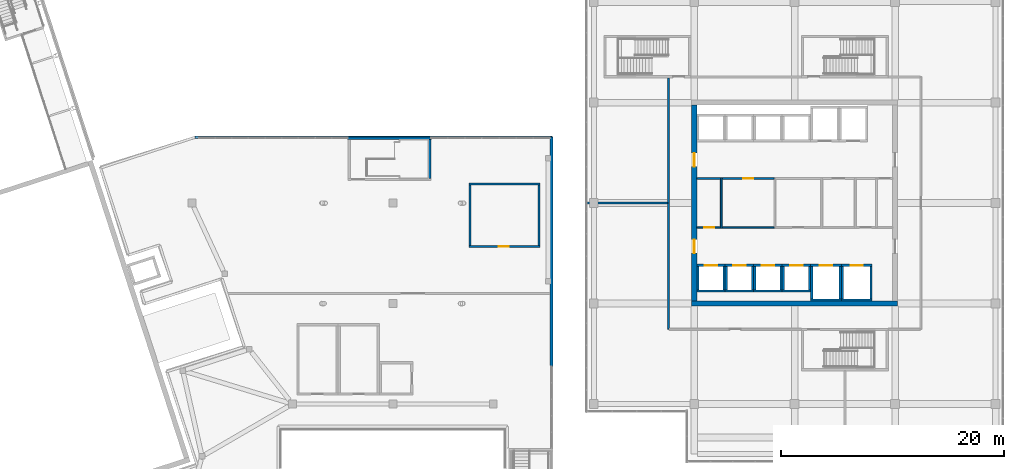
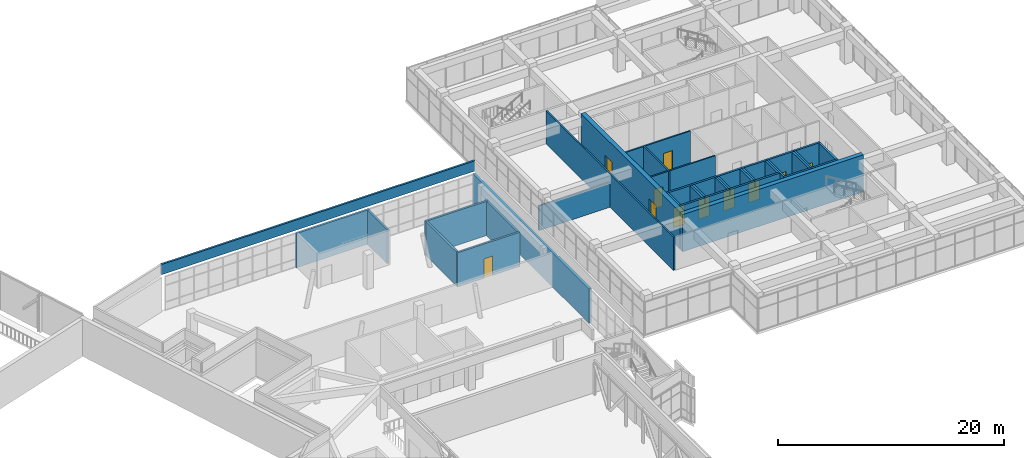
# One storey, part 64 of 72: 41 walls, 11 doors, 11 openings.
"""IFC4 building model written with IfcOpenShell, lengths in metres."""

import ifcopenshell
import ifcopenshell.guid

model = None  # the IFC model being written
_history = None  # IfcOwnerHistory: only IFC2X3 demands one
_inside = {}  # id of a spatial element -> (the spatial element, [elements in it])
_under = {}  # id of a project, library or spatial element -> (it, [spatial elements below it])
_declared = {}  # id of a project -> (the project, [libraries it declares])
_typed = {}  # id of a type object -> (the type object, [elements of that type])
_made_of = {}  # id of a material, layer set ... -> (it, [elements and type objects made of it])


def new_model(schema):
    """Start an empty IFC model of exactly this schema.

    Asked for "IFC4X3", IfcOpenShell would pick the latest addendum, in which some entities
    have other attributes; the version numbers below select the first issue.
    IFC2X3 requires an IfcOwnerHistory on every rooted entity: one is made here for all.
    """
    global model, _history
    if schema == "IFC4X3":
        model = ifcopenshell.file(schema_version=(4, 3, 0, 0))
    else:
        model = ifcopenshell.file(schema=schema)
    _inside.clear()
    _under.clear()
    _declared.clear()
    _typed.clear()
    _made_of.clear()
    _history = None
    if model.schema == "IFC2X3":
        org = make("IfcOrganization", Name="unknown")
        user = make(
            "IfcPersonAndOrganization",
            ThePerson=make("IfcPerson", FamilyName="unknown"),
            TheOrganization=org,
        )
        app = make(
            "IfcApplication",
            ApplicationDeveloper=org,
            Version="unknown",
            ApplicationFullName="unknown",
            ApplicationIdentifier="unknown",
        )
        _history = make(
            "IfcOwnerHistory",
            OwningUser=user,
            OwningApplication=app,
            ChangeAction="ADDED",
            CreationDate=0,
        )
    return model


def make(cls, **values):
    """One entity of the class cls with the attributes given. An attribute that is None is left unset."""
    return model.create_entity(
        cls, **{name: value for name, value in values.items() if value is not None}
    )


def rooted(cls, **values):
    """An entity with a GlobalId (a new one), such as an element, a storey or a relation."""
    return make(cls, GlobalId=ifcopenshell.guid.new(), OwnerHistory=_history, **values)


def si_unit(unit_type, name, prefix=None):
    """IfcSIUnit, for example si_unit("LENGTHUNIT", "METRE", prefix="MILLI")."""
    return make("IfcSIUnit", UnitType=unit_type, Prefix=prefix, Name=name)


def assignment(units):
    """IfcUnitAssignment: the units of a project."""
    return None if units is None else make("IfcUnitAssignment", Units=units)


def point(xyz):
    """IfcCartesianPoint."""
    return None if xyz is None else make("IfcCartesianPoint", Coordinates=xyz)


def direction(xyz):
    """IfcDirection."""
    return None if xyz is None else make("IfcDirection", DirectionRatios=xyz)


def frame(location, z_axis=None, x_axis=None):
    """IfcAxis2Placement3D, a coordinate frame: its origin and axes. An axis left out is left unset."""
    return make(
        "IfcAxis2Placement3D",
        Location=point(location),
        Axis=direction(z_axis),
        RefDirection=direction(x_axis),
    )


def frame_2d(location, x_axis=None):
    """IfcAxis2Placement2D, a coordinate frame in the plane: its origin and x axis."""
    return make(
        "IfcAxis2Placement2D", Location=point(location), RefDirection=direction(x_axis)
    )


def origin():
    """The frame at (0, 0, 0) with its axes left unset."""
    return frame((0.0, 0.0, 0.0))


def place(relative_to, where):
    """IfcLocalPlacement: puts the frame where relative to a parent placement (None: the world)."""
    return make(
        "IfcLocalPlacement", PlacementRelTo=relative_to, RelativePlacement=where
    )


def context(
    kind, dimensions, precision=None, world=None, true_north=None, identifier=None
):
    """IfcGeometricRepresentationContext, for example the 3D "Model" context."""
    return make(
        "IfcGeometricRepresentationContext",
        ContextIdentifier=identifier,
        ContextType=kind,
        CoordinateSpaceDimension=dimensions,
        Precision=precision,
        WorldCoordinateSystem=world,
        TrueNorth=true_north,
    )


def subcontext(parent, identifier, kind, view, scale=None):
    """IfcGeometricRepresentationSubContext, for example "Body" below "Model"."""
    return make(
        "IfcGeometricRepresentationSubContext",
        ContextIdentifier=identifier,
        ContextType=kind,
        ParentContext=parent,
        TargetScale=scale,
        TargetView=view,
    )


def project(units=None, contexts=None):
    """IfcProject with its units and contexts."""
    return rooted(
        "IfcProject",
        Name="project",
        RepresentationContexts=contexts,
        UnitsInContext=assignment(units),
    )


def spatial(cls, under=None, at=None, **own):
    """A site, building, storey or space (cls), placed at a placement, below another one or the project."""
    s = rooted(cls, ObjectPlacement=at, **own)
    if under is not None:
        _under.setdefault(under.id(), (under, []))[1].append(s)
    return s


def profile(cls, at=None, kind="AREA", **sizes):
    """A parametric profile (cls). Its sizes go by their IFC names, for example OverallWidth=200.0."""
    return make(cls, ProfileType=kind, Position=at, **sizes)


def rectangle(**sizes):
    """IfcRectangleProfileDef."""
    return profile("IfcRectangleProfileDef", **sizes)


def extrude(swept, where, along, depth):
    """IfcExtrudedAreaSolid: the profile swept, set in the frame where, extruded along a direction by depth."""
    return make(
        "IfcExtrudedAreaSolid",
        SweptArea=swept,
        Position=where,
        ExtrudedDirection=direction(along),
        Depth=depth,
    )


def shape(context_of_items, identifier, shape_type, items):
    """IfcShapeRepresentation: the items that make up one representation, for example the "Body"."""
    return make(
        "IfcShapeRepresentation",
        ContextOfItems=context_of_items,
        RepresentationIdentifier=identifier,
        RepresentationType=shape_type,
        Items=items,
    )


def material(Name=None, Category=None):
    """IfcMaterial."""
    return make("IfcMaterial", Name=Name, Category=Category)


def layer(
    of_material, thickness, ventilated=None, Name=None, Category=None, Priority=None
):
    """IfcMaterialLayer: one layer of a wall or slab, of a material (None: an air gap)."""
    return make(
        "IfcMaterialLayer",
        Material=of_material,
        LayerThickness=thickness,
        IsVentilated=ventilated,
        Name=Name,
        Category=Category,
        Priority=Priority,
    )


def layer_set(layers, Name=None):
    """IfcMaterialLayerSet."""
    return make("IfcMaterialLayerSet", MaterialLayers=layers, LayerSetName=Name)


def made_of(thing, what):
    """Note that an element or type object is made of a material, layer set ...; save() writes the relation."""
    if what is not None:
        _made_of.setdefault(what.id(), (what, []))[1].append(thing)
    return thing


def type_object(cls, material=None, **own):
    """A type object (cls), such as IfcWallType, which elements share."""
    return made_of(rooted(cls, **own), material)


def element(
    cls,
    number,
    at=None,
    inside=None,
    cuts=None,
    type_object=None,
    material=None,
    context=None,
    identifier="Body",
    shape_type=None,
    held_by="IfcProductDefinitionShape",
    body=None,
    shapes=None,
    **own,
):
    """One element of the class cls, such as IfcWall. Its Tag is "e" and its number.

    at: its placement. inside: the storey or other place that contains it. cuts: it is an
    opening in that element (IfcRelVoidsElement). A single representation is given by context,
    identifier, shape_type and body (its items); several are given by shapes. held_by: the class
    of the entity that holds the representations. save() writes the other relations.
    """
    e = rooted(cls, Tag="e%d" % number, ObjectPlacement=at, **own)
    if body is not None:
        shapes = [shape(context, identifier, shape_type, body)]
    if shapes is not None:
        e.Representation = make(held_by, Representations=shapes)
    if inside is not None:
        _inside.setdefault(inside.id(), (inside, []))[1].append(e)
    if cuts is not None:
        rooted(
            "IfcRelVoidsElement", RelatingBuildingElement=cuts, RelatedOpeningElement=e
        )
    if type_object is not None:
        _typed.setdefault(type_object.id(), (type_object, []))[1].append(e)
    return made_of(e, material)


def fill(opening, filler):
    """IfcRelFillsElement: the door or window that sits in an opening."""
    return rooted(
        "IfcRelFillsElement",
        RelatingOpeningElement=opening,
        RelatedBuildingElement=filler,
    )


def aggregate(whole, parts):
    """IfcRelAggregates: a whole, such as a stair, and the parts it consists of."""
    return rooted("IfcRelAggregates", RelatingObject=whole, RelatedObjects=parts)


def save(model, path):
    """Write the relations noted so far, then the file.

    IfcRelAggregates (storeys below a building ...), IfcRelContainedInSpatialStructure (elements
    in a storey), IfcRelDefinesByType, IfcRelAssociatesMaterial and IfcRelDeclares: one each for
    every whole, place, type object, material and project.
    """
    for whole, parts in _under.values():
        aggregate(whole, parts)
    for where, things in _inside.values():
        rooted(
            "IfcRelContainedInSpatialStructure",
            RelatedElements=things,
            RelatingStructure=where,
        )
    for kind, things in _typed.values():
        rooted("IfcRelDefinesByType", RelatedObjects=things, RelatingType=kind)
    for what, things in _made_of.values():
        rooted("IfcRelAssociatesMaterial", RelatedObjects=things, RelatingMaterial=what)
    for by, libraries in _declared.values():
        rooted("IfcRelDeclares", RelatingContext=by, RelatedDefinitions=libraries)
    model.write(path)


model = new_model("IFC4")

# Units and contexts
model_context = context("Model", 3, precision=1e-05, world=origin(), true_north=direction((0.0, 1.0)))
body_context = subcontext(model_context, "Body", "Model", "MODEL_VIEW")
ifc_project = project(units=[si_unit("LENGTHUNIT", "METRE"), si_unit("AREAUNIT", "SQUARE_METRE"), si_unit("VOLUMEUNIT", "CUBIC_METRE"), si_unit("PLANEANGLEUNIT", "RADIAN"), si_unit("MASSUNIT", "GRAM", prefix="KILO")], contexts=[model_context])

# Site, building, storey
site_placement = place(None, origin())
site = spatial("IfcSite", under=ifc_project, at=site_placement, CompositionType="ELEMENT")
building_placement = place(site_placement, origin())
building = spatial("IfcBuilding", under=site, at=building_placement, Name="Tuart Plaza Theatre", CompositionType="ELEMENT")
storey_placement = place(building_placement, frame((0.0, 0.0, 13.5)))
storey = spatial("IfcBuildingStorey", under=building, at=storey_placement, Name="L03", CompositionType="ELEMENT", Elevation=13.5)

# Walls
ifc_material_1 = material(Name="Concrete N40 (40 MPa)", Category="concrete")
ifc_layer_1 = layer(ifc_material_1, 0.199951171875)
ifc_layer_set_1 = layer_set([ifc_layer_1], Name="PARAPET RC200 EXT")
wall_type_1 = type_object("IfcWallType", Name="PARAPET RC200 EXT", PredefinedType="PARAPET", material=ifc_layer_set_1)
wall_1_placement = place(storey_placement, frame((78.259521484375, 79.886962890625, 4.0), z_axis=(0.0, 0.0, 1.0), x_axis=(1.0, 0.0, 0.0)))
element("IfcWall", 1, at=wall_1_placement, inside=storey, type_object=wall_type_1, Name="P74", PredefinedType="PARAPET", context=body_context, shape_type="SweptSolid", body=[
    extrude(rectangle(XDim=32.00341796875, YDim=0.199951171875, at=frame_2d((16.001708984375, 0.0))), origin(), (0.0, 0.0, 1.0), 1.10009765625),
])
ifc_material_2 = material(Name="Masonry block", Category="masonry")
ifc_layer_2 = layer(ifc_material_2, 0.14990234375)
ifc_layer_set_2 = layer_set([ifc_layer_2], Name="PARTITION BLK150 MASONRYB FRL -/120/120")
wall_type_2 = type_object("IfcWallType", Name="PARTITION BLK150 MASONRYB FRL -/120/120", PredefinedType="PARTITIONING", material=ifc_layer_set_2)
wall_2_placement = place(storey_placement, frame((125.425048828125, 71.72509765625, 0.0), z_axis=(0.0, 0.0, 1.0), x_axis=(0.0, 1.0, 0.0)))
element("IfcWall", 2, at=wall_2_placement, inside=storey, type_object=wall_type_2, Name="P582", PredefinedType="PARTITIONING", context=body_context, shape_type="SweptSolid", body=[
    extrude(rectangle(XDim=4.5498046875, YDim=0.14990234375, at=frame_2d((2.27490234375, 0.0))), origin(), (0.0, 0.0, 1.0), 3.580078125),
])

# Wall, opening, door
wall_3_placement = place(storey_placement, frame((123.22509765625, 71.800048828125, 0.0), z_axis=(0.0, 0.0, 1.0), x_axis=(1.0, 0.0, 0.0)))
wall_3 = element("IfcWall", 3, at=wall_3_placement, inside=storey, type_object=wall_type_2, Name="P583", PredefinedType="PARTITIONING", context=body_context, shape_type="SweptSolid", body=[
    extrude(rectangle(XDim=2.125, YDim=0.14990234375, at=frame_2d((1.0625, 0.0))), origin(), (0.0, 0.0, 1.0), 3.580078125),
])
opening_1_placement = place(wall_3_placement, frame((0.64990234375, 0.0, 0.0)))
opening_1 = element("IfcOpeningElement", 4, at=opening_1_placement, cuts=wall_3, Name="Opening L03-045", PredefinedType="OPENING", context=body_context, shape_type="SweptSolid", body=[
    extrude(rectangle(XDim=0.89990234375, YDim=2.10009765625, at=frame_2d((0.449951171875, 1.050048828125))), frame((0.0, 0.0849609375, 0.0), z_axis=(0.0, -1.0, 0.0), x_axis=(1.0, 0.0, 0.0)), (0.0, 0.0, 1.0), 0.169921875),
])
ifc_material_3 = material(Name="Steel Grade 300", Category="steel")
door_type_1 = type_object("IfcDoorType", Name="DOOR 900x2100 steel single swing FRL -/120/30", OperationType="SINGLE_SWING_LEFT", PredefinedType="DOOR", material=ifc_material_3)
door_1_placement = place(opening_1_placement, origin())
door_1 = element("IfcDoor", 5, at=door_1_placement, inside=storey, type_object=door_type_1, Name="L03-045", OperationType="SINGLE_SWING_LEFT", OverallHeight=2.10009765625, OverallWidth=0.89990234375, PredefinedType="DOOR", context=body_context, shape_type="SweptSolid", body=[
    extrude(rectangle(XDim=0.89990234375, YDim=2.10009765625, at=frame_2d((0.449951171875, 1.050048828125))), frame((0.0, 0.02490234375, 0.0), z_axis=(0.0, -1.0, 0.0), x_axis=(1.0, 0.0, 0.0)), (0.0, 0.0, 1.0), 0.050048828125),
])
fill(opening_1, door_1)

# Walls
wall_4_placement = place(storey_placement, frame((123.22509765625, 76.199951171875, 0.0), z_axis=(0.0, 0.0, 1.0), x_axis=(1.0, 0.0, 0.0)))
element("IfcWall", 6, at=wall_4_placement, inside=storey, type_object=wall_type_2, Name="P584", PredefinedType="PARTITIONING", context=body_context, shape_type="SweptSolid", body=[
    extrude(rectangle(XDim=2.125, YDim=0.14990234375, at=frame_2d((1.0625, 0.0))), origin(), (0.0, 0.0, 1.0), 3.580078125),
])
wall_5_placement = place(storey_placement, frame((125.5, 71.800048828125, 0.0), z_axis=(0.0, 0.0, 1.0), x_axis=(1.0, 0.0, 0.0)))
element("IfcWall", 7, at=wall_5_placement, inside=storey, type_object=wall_type_2, Name="P586", PredefinedType="PARTITIONING", context=body_context, shape_type="SweptSolid", body=[
    extrude(rectangle(XDim=4.64990234375, YDim=0.14990234375, at=frame_2d((2.324951171875, 0.0))), origin(), (0.0, 0.0, 1.0), 3.580078125),
])

# Wall, opening, door
wall_6_placement = place(storey_placement, frame((125.5, 76.199951171875, 0.0), z_axis=(0.0, 0.0, 1.0), x_axis=(1.0, 0.0, 0.0)))
wall_6 = element("IfcWall", 8, at=wall_6_placement, inside=storey, type_object=wall_type_2, Name="P587", PredefinedType="PARTITIONING", context=body_context, shape_type="SweptSolid", body=[
    extrude(rectangle(XDim=4.64990234375, YDim=0.14990234375, at=frame_2d((2.324951171875, 0.0))), origin(), (0.0, 0.0, 1.0), 3.580078125),
])
opening_2_placement = place(wall_6_placement, frame((1.875, 0.0, 0.0)))
opening_2 = element("IfcOpeningElement", 9, at=opening_2_placement, cuts=wall_6, Name="Opening L03-046", PredefinedType="OPENING", context=body_context, shape_type="SweptSolid", body=[
    extrude(rectangle(XDim=0.89990234375, YDim=2.10009765625, at=frame_2d((0.449951171875, 1.050048828125))), frame((0.0, 0.0849609375, 0.0), z_axis=(0.0, -1.0, 0.0), x_axis=(1.0, 0.0, 0.0)), (0.0, 0.0, 1.0), 0.169921875),
])
door_2_placement = place(opening_2_placement, frame((0.89990234375, 0.0, 0.0), z_axis=(0.0, 0.0, 1.0), x_axis=(-1.0, 0.0, 0.0)))
door_2 = element("IfcDoor", 10, at=door_2_placement, inside=storey, type_object=door_type_1, Name="L03-046", OperationType="SINGLE_SWING_LEFT", OverallHeight=2.10009765625, OverallWidth=0.89990234375, PredefinedType="DOOR", context=body_context, shape_type="SweptSolid", body=[
    extrude(rectangle(XDim=0.89990234375, YDim=2.10009765625, at=frame_2d((0.449951171875, 1.050048828125))), frame((0.0, 0.02490234375, 0.0), z_axis=(0.0, -1.0, 0.0), x_axis=(1.0, 0.0, 0.0)), (0.0, 0.0, 1.0), 0.050048828125),
])
fill(opening_2, door_2)

# Walls
ifc_material_4 = material(Name="Masonry block", Category="masonry")
ifc_layer_3 = layer(ifc_material_4, 0.14990234375)
ifc_layer_set_3 = layer_set([ifc_layer_3], Name="PARTITION BLK150 MASONRYB FRL 120/-/-")
wall_type_3 = type_object("IfcWallType", Name="PARTITION BLK150 MASONRYB FRL 120/-/-", PredefinedType="PARTITIONING", material=ifc_layer_set_3)
wall_7_placement = place(storey_placement, frame((120.699951171875, 62.699951171875, 0.0), z_axis=(0.0, 0.0, 1.0), x_axis=(0.0, 1.0, 0.0)))
element("IfcWall", 11, at=wall_7_placement, inside=storey, type_object=wall_type_3, Name="P599", PredefinedType="PARTITIONING", context=body_context, shape_type="SweptSolid", body=[
    extrude(rectangle(XDim=22.525146484375, YDim=0.14990234375, at=frame_2d((11.2626953125, 0.0))), origin(), (0.0, 0.0, 1.0), 3.580078125),
])
wall_8_placement = place(storey_placement, frame((113.39990234375, 74.0, 0.0), z_axis=(0.0, 0.0, 1.0), x_axis=(1.0, 0.0, 0.0)))
element("IfcWall", 12, at=wall_8_placement, inside=storey, type_object=wall_type_3, Name="P606", PredefinedType="PARTITIONING", context=body_context, shape_type="SweptSolid", body=[
    extrude(rectangle(XDim=7.22607421875, YDim=0.14990234375, at=frame_2d((3.613037109375, 0.0))), origin(), (0.0, 0.0, 1.0), 2.679931640625),
])

# Wall, opening, door
ifc_material_5 = material(Name="Masonry", Category="masonry")
ifc_layer_4 = layer(ifc_material_5, 0.199951171875)
ifc_layer_set_4 = layer_set([ifc_layer_4], Name="PARTITION BLK200 FRL 120/-/-")
wall_type_4 = type_object("IfcWallType", Name="PARTITION BLK200 FRL 120/-/-", PredefinedType="PARTITIONING", material=ifc_layer_set_4)
wall_9_placement = place(storey_placement, frame((102.800048828125, 70.10009765625, 0.0), z_axis=(0.0, 0.0, 1.0), x_axis=(1.0, 0.0, 0.0)))
wall_9 = element("IfcWall", 13, at=wall_9_placement, inside=storey, type_object=wall_type_4, Name="P357", PredefinedType="PARTITIONING", context=body_context, shape_type="SweptSolid", body=[
    extrude(rectangle(XDim=6.39990234375, YDim=0.199951171875, at=frame_2d((3.199951171875, 0.0))), origin(), (0.0, 0.0, 1.0), 3.699951171875),
])
opening_3_placement = place(wall_9_placement, frame((2.699951171875, 0.0, 0.0)))
opening_3 = element("IfcOpeningElement", 14, at=opening_3_placement, cuts=wall_9, Name="Opening L03-022", PredefinedType="OPENING", context=body_context, shape_type="SweptSolid", body=[
    extrude(rectangle(XDim=0.89990234375, YDim=2.10009765625, at=frame_2d((0.449951171875, 1.050048828125))), frame((0.0, 0.10986328125, 0.0), z_axis=(0.0, -1.0, 0.0), x_axis=(1.0, 0.0, 0.0)), (0.0, 0.0, 1.0), 0.219970703125),
])
ifc_material_6 = material(Name="Timber", Category="wood")
door_type_2 = type_object("IfcDoorType", Name="DOOR 900x2100 timber single swing FRL -/60/30", OperationType="SINGLE_SWING_LEFT", PredefinedType="DOOR", material=ifc_material_6)
door_3_placement = place(opening_3_placement, frame((0.89990234375, 0.0, 0.0), z_axis=(0.0, 0.0, 1.0), x_axis=(-1.0, 0.0, 0.0)))
door_3 = element("IfcDoor", 15, at=door_3_placement, inside=storey, type_object=door_type_2, Name="L03-022", OperationType="SINGLE_SWING_LEFT", OverallHeight=2.10009765625, OverallWidth=0.89990234375, PredefinedType="DOOR", context=body_context, shape_type="SweptSolid", body=[
    extrude(rectangle(XDim=0.89990234375, YDim=2.10009765625, at=frame_2d((0.449951171875, 1.050048828125))), frame((0.0, 0.02490234375, 0.0), z_axis=(0.0, -1.0, 0.0), x_axis=(1.0, 0.0, 0.0)), (0.0, 0.0, 1.0), 0.050048828125),
])
fill(opening_3, door_3)

# Walls
wall_10_placement = place(storey_placement, frame((109.10009765625, 70.199951171875, 0.0), z_axis=(0.0, 0.0, 1.0), x_axis=(0.0, 1.0, 0.0)))
element("IfcWall", 16, at=wall_10_placement, inside=storey, type_object=wall_type_4, Name="P358", PredefinedType="PARTITIONING", context=body_context, shape_type="SweptSolid", body=[
    extrude(rectangle(XDim=5.400146484375, YDim=0.199951171875, at=frame_2d((2.7001953125, 0.0))), origin(), (0.0, 0.0, 1.0), 3.699951171875),
])
wall_11_placement = place(storey_placement, frame((109.199951171875, 75.699951171875, 0.0), z_axis=(0.0, 0.0, 1.0), x_axis=(-1.0, 0.0, 0.0)))
element("IfcWall", 17, at=wall_11_placement, inside=storey, type_object=wall_type_4, Name="P359", PredefinedType="PARTITIONING", context=body_context, shape_type="SweptSolid", body=[
    extrude(rectangle(XDim=6.39990234375, YDim=0.199951171875, at=frame_2d((3.199951171875, 0.0))), origin(), (0.0, 0.0, 1.0), 3.699951171875),
])
wall_12_placement = place(storey_placement, frame((102.89990234375, 75.60009765625, 0.0), z_axis=(0.0, 0.0, 1.0), x_axis=(0.0, -1.0, 0.0)))
element("IfcWall", 18, at=wall_12_placement, inside=storey, type_object=wall_type_4, Name="P360", PredefinedType="PARTITIONING", context=body_context, shape_type="SweptSolid", body=[
    extrude(rectangle(XDim=5.400146484375, YDim=0.199951171875, at=frame_2d((2.7001953125, 0.0))), origin(), (0.0, 0.0, 1.0), 3.699951171875),
])
ifc_material_7 = material(Name="Concrete N40 (40 MPa)", Category="concrete")
ifc_layer_5 = layer(ifc_material_7, 0.199951171875)
ifc_layer_set_5 = layer_set([ifc_layer_5], Name="SHEAR WALL RC200 FRL 120/120/120")
wall_type_5 = type_object("IfcWallType", Name="SHEAR WALL RC200 FRL 120/120/120", PredefinedType="SHEAR", material=ifc_layer_set_5)
wall_13_placement = place(storey_placement, frame((99.300048828125, 76.199951171875, 0.0), z_axis=(0.0, 0.0, 1.0), x_axis=(0.0, 1.0, 0.0)))
element("IfcWall", 19, at=wall_13_placement, inside=storey, type_object=wall_type_5, Name="W257", PredefinedType="SHEAR", context=body_context, shape_type="SweptSolid", body=[
    extrude(rectangle(XDim=3.5, YDim=0.199951171875, at=frame_2d((1.75, 0.0))), origin(), (0.0, 0.0, 1.0), 3.699951171875),
])
wall_14_placement = place(storey_placement, frame((123.22509765625, 66.125, 0.0), z_axis=(0.0, 0.0, 1.0), x_axis=(1.0, 0.0, 0.0)))
element("IfcWall", 20, at=wall_14_placement, inside=storey, type_object=wall_type_5, Name="W562", PredefinedType="SHEAR", context=body_context, shape_type="SweptSolid", body=[
    extrude(rectangle(XDim=2.5498046875, YDim=0.199951171875, at=frame_2d((1.27490234375, 0.0))), origin(), (0.0, 0.0, 1.0), 4.0),
])
wall_15_placement = place(storey_placement, frame((125.675048828125, 66.22509765625, 0.0), z_axis=(0.0, 0.0, 1.0), x_axis=(0.0, 1.0, 0.0)))
element("IfcWall", 21, at=wall_15_placement, inside=storey, type_object=wall_type_5, Name="W563", PredefinedType="SHEAR", context=body_context, shape_type="SweptSolid", body=[
    extrude(rectangle(XDim=2.099853515625, YDim=0.199951171875, at=frame_2d((1.0498046875, 0.0))), origin(), (0.0, 0.0, 1.0), 4.0),
])

# Wall, opening, door
wall_16_placement = place(storey_placement, frame((125.77490234375, 68.425048828125, 0.0), z_axis=(0.0, 0.0, 1.0), x_axis=(-1.0, 0.0, 0.0)))
wall_16 = element("IfcWall", 22, at=wall_16_placement, inside=storey, type_object=wall_type_5, Name="W564", PredefinedType="SHEAR", context=body_context, shape_type="SweptSolid", body=[
    extrude(rectangle(XDim=2.5498046875, YDim=0.199951171875, at=frame_2d((1.27490234375, 0.0))), origin(), (0.0, 0.0, 1.0), 4.0),
])
opening_4_placement = place(wall_16_placement, frame((0.72509765625, 0.0, 0.0)))
opening_4 = element("IfcOpeningElement", 23, at=opening_4_placement, cuts=wall_16, Name="Opening L03-030", PredefinedType="OPENING", context=body_context, shape_type="SweptSolid", body=[
    extrude(rectangle(XDim=1.10009765625, YDim=2.10009765625, at=frame_2d((0.550048828125, 1.050048828125))), frame((0.0, 0.10986328125, 0.0), z_axis=(0.0, -1.0, 0.0), x_axis=(1.0, 0.0, 0.0)), (0.0, 0.0, 1.0), 0.219970703125),
])
ifc_material_8 = material(Name="Steel Grade 300", Category="steel")
door_type_3 = type_object("IfcDoorType", Name="LANDING DOOR 1100x2100 steel sliding FRL -/120/30", OperationType="SLIDING_TO_LEFT", PredefinedType="DOOR", material=ifc_material_8)
door_4_placement = place(opening_4_placement, origin())
door_4 = element("IfcDoor", 24, at=door_4_placement, inside=storey, type_object=door_type_3, Name="L03-030", OperationType="SLIDING_TO_LEFT", OverallHeight=2.10009765625, OverallWidth=1.10009765625, PredefinedType="DOOR", context=body_context, shape_type="SweptSolid", body=[
    extrude(rectangle(XDim=1.10009765625, YDim=2.10009765625, at=frame_2d((0.550048828125, 1.050048828125))), frame((0.0, 0.02490234375, 0.0), z_axis=(0.0, -1.0, 0.0), x_axis=(1.0, 0.0, 0.0)), (0.0, 0.0, 1.0), 0.050048828125),
])
fill(opening_4, door_4)

# Walls
wall_17_placement = place(storey_placement, frame((123.324951171875, 68.324951171875, 0.0), z_axis=(0.0, 0.0, 1.0), x_axis=(0.0, -1.0, 0.0)))
element("IfcWall", 25, at=wall_17_placement, inside=storey, type_object=wall_type_5, Name="W565", PredefinedType="SHEAR", context=body_context, shape_type="SweptSolid", body=[
    extrude(rectangle(XDim=2.099853515625, YDim=0.199951171875, at=frame_2d((1.0498046875, 0.0))), origin(), (0.0, 0.0, 1.0), 4.0),
])
wall_18_placement = place(storey_placement, frame((125.77490234375, 66.125, 0.0), z_axis=(0.0, 0.0, 1.0), x_axis=(1.0, 0.0, 0.0)))
element("IfcWall", 26, at=wall_18_placement, inside=storey, type_object=wall_type_5, Name="W606", PredefinedType="SHEAR", context=body_context, shape_type="SweptSolid", body=[
    extrude(rectangle(XDim=2.550048828125, YDim=0.199951171875, at=frame_2d((1.27490234375, 0.0))), origin(), (0.0, 0.0, 1.0), 4.0),
])
wall_19_placement = place(storey_placement, frame((128.22509765625, 66.22509765625, 0.0), z_axis=(0.0, 0.0, 1.0), x_axis=(0.0, 1.0, 0.0)))
element("IfcWall", 27, at=wall_19_placement, inside=storey, type_object=wall_type_5, Name="W607", PredefinedType="SHEAR", context=body_context, shape_type="SweptSolid", body=[
    extrude(rectangle(XDim=2.099853515625, YDim=0.199951171875, at=frame_2d((1.0498046875, 0.0))), origin(), (0.0, 0.0, 1.0), 4.0),
])

# Wall, opening, door
wall_20_placement = place(storey_placement, frame((128.324951171875, 68.425048828125, 0.0), z_axis=(0.0, 0.0, 1.0), x_axis=(-1.0, 0.0, 0.0)))
wall_20 = element("IfcWall", 28, at=wall_20_placement, inside=storey, type_object=wall_type_5, Name="W608", PredefinedType="SHEAR", context=body_context, shape_type="SweptSolid", body=[
    extrude(rectangle(XDim=2.550048828125, YDim=0.199951171875, at=frame_2d((1.27490234375, 0.0))), origin(), (0.0, 0.0, 1.0), 4.0),
])
opening_5_placement = place(wall_20_placement, frame((0.72509765625, 0.0, 0.0)))
opening_5 = element("IfcOpeningElement", 29, at=opening_5_placement, cuts=wall_20, Name="Opening L03-031", PredefinedType="OPENING", context=body_context, shape_type="SweptSolid", body=[
    extrude(rectangle(XDim=1.10009765625, YDim=2.10009765625, at=frame_2d((0.550048828125, 1.050048828125))), frame((0.0, 0.10986328125, 0.0), z_axis=(0.0, -1.0, 0.0), x_axis=(1.0, 0.0, 0.0)), (0.0, 0.0, 1.0), 0.219970703125),
])
door_5_placement = place(opening_5_placement, origin())
door_5 = element("IfcDoor", 30, at=door_5_placement, inside=storey, type_object=door_type_3, Name="L03-031", OperationType="SLIDING_TO_LEFT", OverallHeight=2.10009765625, OverallWidth=1.10009765625, PredefinedType="DOOR", context=body_context, shape_type="SweptSolid", body=[
    extrude(rectangle(XDim=1.10009765625, YDim=2.10009765625, at=frame_2d((0.550048828125, 1.050048828125))), frame((0.0, 0.02490234375, 0.0), z_axis=(0.0, -1.0, 0.0), x_axis=(1.0, 0.0, 0.0)), (0.0, 0.0, 1.0), 0.050048828125),
])
fill(opening_5, door_5)

# Walls
wall_21_placement = place(storey_placement, frame((125.875, 68.324951171875, 0.0), z_axis=(0.0, 0.0, 1.0), x_axis=(0.0, -1.0, 0.0)))
element("IfcWall", 31, at=wall_21_placement, inside=storey, type_object=wall_type_5, Name="W609", PredefinedType="SHEAR", context=body_context, shape_type="SweptSolid", body=[
    extrude(rectangle(XDim=2.099853515625, YDim=0.199951171875, at=frame_2d((1.0498046875, 0.0))), origin(), (0.0, 0.0, 1.0), 4.0),
])
wall_22_placement = place(storey_placement, frame((128.324951171875, 66.125, 0.0), z_axis=(0.0, 0.0, 1.0), x_axis=(1.0, 0.0, 0.0)))
element("IfcWall", 32, at=wall_22_placement, inside=storey, type_object=wall_type_5, Name="W650", PredefinedType="SHEAR", context=body_context, shape_type="SweptSolid", body=[
    extrude(rectangle(XDim=2.550048828125, YDim=0.199951171875, at=frame_2d((1.27490234375, 0.0))), origin(), (0.0, 0.0, 1.0), 4.0),
])
wall_23_placement = place(storey_placement, frame((130.77490234375, 66.22509765625, 0.0), z_axis=(0.0, 0.0, 1.0), x_axis=(0.0, 1.0, 0.0)))
element("IfcWall", 33, at=wall_23_placement, inside=storey, type_object=wall_type_5, Name="W651", PredefinedType="SHEAR", context=body_context, shape_type="SweptSolid", body=[
    extrude(rectangle(XDim=2.099853515625, YDim=0.199951171875, at=frame_2d((1.0498046875, 0.0))), origin(), (0.0, 0.0, 1.0), 4.0),
])

# Wall, opening, door
wall_24_placement = place(storey_placement, frame((130.875, 68.425048828125, 0.0), z_axis=(0.0, 0.0, 1.0), x_axis=(-1.0, 0.0, 0.0)))
wall_24 = element("IfcWall", 34, at=wall_24_placement, inside=storey, type_object=wall_type_5, Name="W652", PredefinedType="SHEAR", context=body_context, shape_type="SweptSolid", body=[
    extrude(rectangle(XDim=2.550048828125, YDim=0.199951171875, at=frame_2d((1.27490234375, 0.0))), origin(), (0.0, 0.0, 1.0), 4.0),
])
opening_6_placement = place(wall_24_placement, frame((0.72509765625, 0.0, 0.0)))
opening_6 = element("IfcOpeningElement", 35, at=opening_6_placement, cuts=wall_24, Name="Opening L03-032", PredefinedType="OPENING", context=body_context, shape_type="SweptSolid", body=[
    extrude(rectangle(XDim=1.10009765625, YDim=2.10009765625, at=frame_2d((0.550048828125, 1.050048828125))), frame((0.0, 0.10986328125, 0.0), z_axis=(0.0, -1.0, 0.0), x_axis=(1.0, 0.0, 0.0)), (0.0, 0.0, 1.0), 0.219970703125),
])
door_6_placement = place(opening_6_placement, origin())
door_6 = element("IfcDoor", 36, at=door_6_placement, inside=storey, type_object=door_type_3, Name="L03-032", OperationType="SLIDING_TO_LEFT", OverallHeight=2.10009765625, OverallWidth=1.10009765625, PredefinedType="DOOR", context=body_context, shape_type="SweptSolid", body=[
    extrude(rectangle(XDim=1.10009765625, YDim=2.10009765625, at=frame_2d((0.550048828125, 1.050048828125))), frame((0.0, 0.02490234375, 0.0), z_axis=(0.0, -1.0, 0.0), x_axis=(1.0, 0.0, 0.0)), (0.0, 0.0, 1.0), 0.050048828125),
])
fill(opening_6, door_6)

# Walls
wall_25_placement = place(storey_placement, frame((128.425048828125, 68.324951171875, 0.0), z_axis=(0.0, 0.0, 1.0), x_axis=(0.0, -1.0, 0.0)))
element("IfcWall", 37, at=wall_25_placement, inside=storey, type_object=wall_type_5, Name="W653", PredefinedType="SHEAR", context=body_context, shape_type="SweptSolid", body=[
    extrude(rectangle(XDim=2.099853515625, YDim=0.199951171875, at=frame_2d((1.0498046875, 0.0))), origin(), (0.0, 0.0, 1.0), 4.0),
])
wall_26_placement = place(storey_placement, frame((130.875, 66.125, 0.0), z_axis=(0.0, 0.0, 1.0), x_axis=(1.0, 0.0, 0.0)))
element("IfcWall", 38, at=wall_26_placement, inside=storey, type_object=wall_type_5, Name="W694", PredefinedType="SHEAR", context=body_context, shape_type="SweptSolid", body=[
    extrude(rectangle(XDim=2.550048828125, YDim=0.199951171875, at=frame_2d((1.27490234375, 0.0))), origin(), (0.0, 0.0, 1.0), 4.0),
])
wall_27_placement = place(storey_placement, frame((133.324951171875, 66.22509765625, 0.0), z_axis=(0.0, 0.0, 1.0), x_axis=(0.0, 1.0, 0.0)))
element("IfcWall", 39, at=wall_27_placement, inside=storey, type_object=wall_type_5, Name="W695", PredefinedType="SHEAR", context=body_context, shape_type="SweptSolid", body=[
    extrude(rectangle(XDim=2.099853515625, YDim=0.199951171875, at=frame_2d((1.0498046875, 0.0))), origin(), (0.0, 0.0, 1.0), 4.0),
])

# Wall, opening, door
wall_28_placement = place(storey_placement, frame((133.425048828125, 68.425048828125, 0.0), z_axis=(0.0, 0.0, 1.0), x_axis=(-1.0, 0.0, 0.0)))
wall_28 = element("IfcWall", 40, at=wall_28_placement, inside=storey, type_object=wall_type_5, Name="W696", PredefinedType="SHEAR", context=body_context, shape_type="SweptSolid", body=[
    extrude(rectangle(XDim=2.550048828125, YDim=0.199951171875, at=frame_2d((1.27490234375, 0.0))), origin(), (0.0, 0.0, 1.0), 4.0),
])
opening_7_placement = place(wall_28_placement, frame((0.72509765625, 0.0, 0.0)))
opening_7 = element("IfcOpeningElement", 41, at=opening_7_placement, cuts=wall_28, Name="Opening L03-033", PredefinedType="OPENING", context=body_context, shape_type="SweptSolid", body=[
    extrude(rectangle(XDim=1.10009765625, YDim=2.10009765625, at=frame_2d((0.550048828125, 1.050048828125))), frame((0.0, 0.10986328125, 0.0), z_axis=(0.0, -1.0, 0.0), x_axis=(1.0, 0.0, 0.0)), (0.0, 0.0, 1.0), 0.219970703125),
])
door_7_placement = place(opening_7_placement, origin())
door_7 = element("IfcDoor", 42, at=door_7_placement, inside=storey, type_object=door_type_3, Name="L03-033", OperationType="SLIDING_TO_LEFT", OverallHeight=2.10009765625, OverallWidth=1.10009765625, PredefinedType="DOOR", context=body_context, shape_type="SweptSolid", body=[
    extrude(rectangle(XDim=1.10009765625, YDim=2.10009765625, at=frame_2d((0.550048828125, 1.050048828125))), frame((0.0, 0.02490234375, 0.0), z_axis=(0.0, -1.0, 0.0), x_axis=(1.0, 0.0, 0.0)), (0.0, 0.0, 1.0), 0.050048828125),
])
fill(opening_7, door_7)

# Walls
wall_29_placement = place(storey_placement, frame((130.97509765625, 68.324951171875, 0.0), z_axis=(0.0, 0.0, 1.0), x_axis=(0.0, -1.0, 0.0)))
element("IfcWall", 43, at=wall_29_placement, inside=storey, type_object=wall_type_5, Name="W697", PredefinedType="SHEAR", context=body_context, shape_type="SweptSolid", body=[
    extrude(rectangle(XDim=2.099853515625, YDim=0.199951171875, at=frame_2d((1.0498046875, 0.0))), origin(), (0.0, 0.0, 1.0), 4.0),
])
wall_30_placement = place(storey_placement, frame((133.425048828125, 65.324951171875, 0.0), z_axis=(0.0, 0.0, 1.0), x_axis=(1.0, 0.0, 0.0)))
element("IfcWall", 44, at=wall_30_placement, inside=storey, type_object=wall_type_5, Name="W1026", PredefinedType="SHEAR", context=body_context, shape_type="SweptSolid", body=[
    extrude(rectangle(XDim=2.75, YDim=0.199951171875, at=frame_2d((1.375, 0.0))), origin(), (0.0, 0.0, 1.0), 4.0),
])
wall_31_placement = place(storey_placement, frame((136.074951171875, 65.425048828125, 0.0), z_axis=(0.0, 0.0, 1.0), x_axis=(0.0, 1.0, 0.0)))
element("IfcWall", 45, at=wall_31_placement, inside=storey, type_object=wall_type_5, Name="W1027", PredefinedType="SHEAR", context=body_context, shape_type="SweptSolid", body=[
    extrude(rectangle(XDim=2.89990234375, YDim=0.199951171875, at=frame_2d((1.449951171875, 0.0))), origin(), (0.0, 0.0, 1.0), 4.0),
])

# Wall, opening, door
wall_32_placement = place(storey_placement, frame((136.175048828125, 68.425048828125, 0.0), z_axis=(0.0, 0.0, 1.0), x_axis=(-1.0, 0.0, 0.0)))
wall_32 = element("IfcWall", 46, at=wall_32_placement, inside=storey, type_object=wall_type_5, Name="W1028", PredefinedType="SHEAR", context=body_context, shape_type="SweptSolid", body=[
    extrude(rectangle(XDim=2.75, YDim=0.199951171875, at=frame_2d((1.375, 0.0))), origin(), (0.0, 0.0, 1.0), 4.0),
])
opening_8_placement = place(wall_32_placement, frame((0.824951171875, 0.0, 0.0)))
opening_8 = element("IfcOpeningElement", 47, at=opening_8_placement, cuts=wall_32, Name="Opening L03-034", PredefinedType="OPENING", context=body_context, shape_type="SweptSolid", body=[
    extrude(rectangle(XDim=1.10009765625, YDim=2.10009765625, at=frame_2d((0.550048828125, 1.050048828125))), frame((0.0, 0.10986328125, 0.0), z_axis=(0.0, -1.0, 0.0), x_axis=(1.0, 0.0, 0.0)), (0.0, 0.0, 1.0), 0.219970703125),
])
door_8_placement = place(opening_8_placement, origin())
door_8 = element("IfcDoor", 48, at=door_8_placement, inside=storey, type_object=door_type_3, Name="L03-034", OperationType="SLIDING_TO_LEFT", OverallHeight=2.10009765625, OverallWidth=1.10009765625, PredefinedType="DOOR", context=body_context, shape_type="SweptSolid", body=[
    extrude(rectangle(XDim=1.10009765625, YDim=2.10009765625, at=frame_2d((0.550048828125, 1.050048828125))), frame((0.0, 0.02490234375, 0.0), z_axis=(0.0, -1.0, 0.0), x_axis=(1.0, 0.0, 0.0)), (0.0, 0.0, 1.0), 0.050048828125),
])
fill(opening_8, door_8)

# Walls
wall_33_placement = place(storey_placement, frame((133.52490234375, 68.324951171875, 0.0), z_axis=(0.0, 0.0, 1.0), x_axis=(0.0, -1.0, 0.0)))
element("IfcWall", 49, at=wall_33_placement, inside=storey, type_object=wall_type_5, Name="W1029", PredefinedType="SHEAR", context=body_context, shape_type="SweptSolid", body=[
    extrude(rectangle(XDim=2.89990234375, YDim=0.199951171875, at=frame_2d((1.449951171875, 0.0))), origin(), (0.0, 0.0, 1.0), 4.0),
])
wall_34_placement = place(storey_placement, frame((136.175048828125, 65.324951171875, 0.0), z_axis=(0.0, 0.0, 1.0), x_axis=(1.0, 0.0, 0.0)))
element("IfcWall", 50, at=wall_34_placement, inside=storey, type_object=wall_type_5, Name="W1102", PredefinedType="SHEAR", context=body_context, shape_type="SweptSolid", body=[
    extrude(rectangle(XDim=2.75, YDim=0.199951171875, at=frame_2d((1.375, 0.0))), origin(), (0.0, 0.0, 1.0), 4.0),
])
wall_35_placement = place(storey_placement, frame((138.824951171875, 65.425048828125, 0.0), z_axis=(0.0, 0.0, 1.0), x_axis=(0.0, 1.0, 0.0)))
element("IfcWall", 51, at=wall_35_placement, inside=storey, type_object=wall_type_5, Name="W1103", PredefinedType="SHEAR", context=body_context, shape_type="SweptSolid", body=[
    extrude(rectangle(XDim=2.89990234375, YDim=0.199951171875, at=frame_2d((1.449951171875, 0.0))), origin(), (0.0, 0.0, 1.0), 4.0),
])

# Wall, opening, door
wall_36_placement = place(storey_placement, frame((138.925048828125, 68.425048828125, 0.0), z_axis=(0.0, 0.0, 1.0), x_axis=(-1.0, 0.0, 0.0)))
wall_36 = element("IfcWall", 52, at=wall_36_placement, inside=storey, type_object=wall_type_5, Name="W1104", PredefinedType="SHEAR", context=body_context, shape_type="SweptSolid", body=[
    extrude(rectangle(XDim=2.75, YDim=0.199951171875, at=frame_2d((1.375, 0.0))), origin(), (0.0, 0.0, 1.0), 4.0),
])
opening_9_placement = place(wall_36_placement, frame((0.824951171875, 0.0, 0.0)))
opening_9 = element("IfcOpeningElement", 53, at=opening_9_placement, cuts=wall_36, Name="Opening L03-035", PredefinedType="OPENING", context=body_context, shape_type="SweptSolid", body=[
    extrude(rectangle(XDim=1.10009765625, YDim=2.10009765625, at=frame_2d((0.550048828125, 1.050048828125))), frame((0.0, 0.10986328125, 0.0), z_axis=(0.0, -1.0, 0.0), x_axis=(1.0, 0.0, 0.0)), (0.0, 0.0, 1.0), 0.219970703125),
])
door_9_placement = place(opening_9_placement, origin())
door_9 = element("IfcDoor", 54, at=door_9_placement, inside=storey, type_object=door_type_3, Name="L03-035", OperationType="SLIDING_TO_LEFT", OverallHeight=2.10009765625, OverallWidth=1.10009765625, PredefinedType="DOOR", context=body_context, shape_type="SweptSolid", body=[
    extrude(rectangle(XDim=1.10009765625, YDim=2.10009765625, at=frame_2d((0.550048828125, 1.050048828125))), frame((0.0, 0.02490234375, 0.0), z_axis=(0.0, -1.0, 0.0), x_axis=(1.0, 0.0, 0.0)), (0.0, 0.0, 1.0), 0.050048828125),
])
fill(opening_9, door_9)

# Walls
wall_37_placement = place(storey_placement, frame((136.27490234375, 68.324951171875, 0.0), z_axis=(0.0, 0.0, 1.0), x_axis=(0.0, -1.0, 0.0)))
element("IfcWall", 55, at=wall_37_placement, inside=storey, type_object=wall_type_5, Name="W1105", PredefinedType="SHEAR", context=body_context, shape_type="SweptSolid", body=[
    extrude(rectangle(XDim=2.89990234375, YDim=0.199951171875, at=frame_2d((1.449951171875, 0.0))), origin(), (0.0, 0.0, 1.0), 4.0),
])
ifc_material_9 = material(Name="Concrete N40 (40 MPa)", Category="concrete")
ifc_layer_6 = layer(ifc_material_9, 0.199951171875)
ifc_layer_set_6 = layer_set([ifc_layer_6], Name="SHEAR WALL RC200 FRL 120/120/120 EXT")
wall_type_6 = type_object("IfcWallType", Name="SHEAR WALL RC200 FRL 120/120/120 EXT", PredefinedType="SHEAR", material=ifc_layer_set_6)
wall_38_placement = place(storey_placement, frame((99.449951171875, 79.800048828125, 0.0), z_axis=(0.0, 0.0, 1.0), x_axis=(-1.0, 0.0, 0.0)))
element("IfcWall", 56, at=wall_38_placement, inside=storey, type_object=wall_type_6, Name="W255", PredefinedType="SHEAR", context=body_context, shape_type="SweptSolid", body=[
    extrude(rectangle(XDim=7.5, YDim=0.199951171875, at=frame_2d((3.75, 0.0))), origin(), (0.0, 0.0, 1.0), 3.699951171875),
])
ifc_material_10 = material(Name="Concrete N50 (50 MPa)", Category="concrete")
ifc_layer_7 = layer(ifc_material_10, 0.449951171875)
ifc_layer_set_7 = layer_set([ifc_layer_7], Name="SHEAR WALL RC450 N50 FRL 120/120/120")
wall_type_7 = type_object("IfcWallType", Name="SHEAR WALL RC450 N50 FRL 120/120/120", PredefinedType="SHEAR", material=ifc_layer_set_7)
wall_39_placement = place(storey_placement, frame((122.77490234375, 65.0, 0.0), z_axis=(0.0, 0.0, 1.0), x_axis=(1.0, 0.0, 0.0)))
element("IfcWall", 57, at=wall_39_placement, inside=storey, type_object=wall_type_7, Name="W363", PredefinedType="SHEAR", context=body_context, shape_type="SweptSolid", body=[
    extrude(rectangle(XDim=18.4501953125, YDim=0.449951171875, at=frame_2d((9.22509765625, 0.0))), origin(), (0.0, 0.0, 1.0), 4.0),
])

# Wall, openings, doors
wall_40_placement = place(storey_placement, frame((123.0, 82.77490234375, 0.0), z_axis=(0.0, 0.0, 1.0), x_axis=(0.0, -1.0, 0.0)))
wall_40 = element("IfcWall", 58, at=wall_40_placement, inside=storey, type_object=wall_type_7, Name="W366", PredefinedType="SHEAR", context=body_context, shape_type="SweptSolid", body=[
    extrude(rectangle(XDim=17.5498046875, YDim=0.449951171875, at=frame_2d((8.77490234375, 0.0))), origin(), (0.0, 0.0, 1.0), 4.0),
])
opening_10_placement = place(wall_40_placement, frame((12.050048828125, 0.0, 0.0)))
opening_10 = element("IfcOpeningElement", 59, at=opening_10_placement, cuts=wall_40, Name="Opening L03-041", PredefinedType="OPENING", context=body_context, shape_type="SweptSolid", body=[
    extrude(rectangle(XDim=1.199951171875, YDim=2.10009765625, at=frame_2d((0.60009765625, 1.050048828125))), frame((0.0, 0.23486328125, 0.0), z_axis=(0.0, -1.0, 0.0), x_axis=(1.0, 0.0, 0.0)), (0.0, 0.0, 1.0), 0.469970703125),
])
opening_11_placement = place(wall_40_placement, frame((4.300048828125, 0.0, 0.0)))
opening_11 = element("IfcOpeningElement", 60, at=opening_11_placement, cuts=wall_40, Name="Opening L03-043", PredefinedType="OPENING", context=body_context, shape_type="SweptSolid", body=[
    extrude(rectangle(XDim=1.199951171875, YDim=2.10009765625, at=frame_2d((0.60009765625, 1.050048828125))), frame((0.0, 0.23486328125, 0.0), z_axis=(0.0, -1.0, 0.0), x_axis=(1.0, 0.0, 0.0)), (0.0, 0.0, 1.0), 0.469970703125),
])
ifc_material_11 = material(Name="Steel Grade 300", Category="steel")
door_type_4 = type_object("IfcDoorType", Name="DOOR 1200x2100 steel single swing FRL -/120/30", OperationType="SINGLE_SWING_LEFT", PredefinedType="DOOR", material=ifc_material_11)
door_10_placement = place(opening_10_placement, frame((1.199951171875, 0.0, 0.0), z_axis=(0.0, 0.0, 1.0), x_axis=(-1.0, 0.0, 0.0)))
door_10 = element("IfcDoor", 61, at=door_10_placement, inside=storey, type_object=door_type_4, Name="L03-041", OperationType="SINGLE_SWING_RIGHT", OverallHeight=2.10009765625, OverallWidth=1.199951171875, PredefinedType="DOOR", context=body_context, shape_type="SweptSolid", body=[
    extrude(rectangle(XDim=1.199951171875, YDim=2.10009765625, at=frame_2d((0.60009765625, 1.050048828125))), frame((0.0, 0.02490234375, 0.0), z_axis=(0.0, -1.0, 0.0), x_axis=(1.0, 0.0, 0.0)), (0.0, 0.0, 1.0), 0.050048828125),
])
fill(opening_10, door_10)
door_11_placement = place(opening_11_placement, frame((1.199951171875, 0.0, 0.0), z_axis=(0.0, 0.0, 1.0), x_axis=(-1.0, 0.0, 0.0)))
door_11 = element("IfcDoor", 62, at=door_11_placement, inside=storey, type_object=door_type_4, Name="L03-043", OperationType="SINGLE_SWING_LEFT", OverallHeight=2.10009765625, OverallWidth=1.199951171875, PredefinedType="DOOR", context=body_context, shape_type="SweptSolid", body=[
    extrude(rectangle(XDim=1.199951171875, YDim=2.10009765625, at=frame_2d((0.60009765625, 1.050048828125))), frame((0.0, 0.02490234375, 0.0), z_axis=(0.0, -1.0, 0.0), x_axis=(1.0, 0.0, 0.0)), (0.0, 0.0, 1.0), 0.050048828125),
])
fill(opening_11, door_11)

# Wall
ifc_material_12 = material(Name="Concrete N40 (40 MPa)", Category="concrete")
ifc_layer_8 = layer(ifc_material_12, 0.25)
ifc_layer_set_8 = layer_set([ifc_layer_8], Name="WALL RC250 FRL 120/120/120 EXT")
wall_type_8 = type_object("IfcWallType", Name="WALL RC250 FRL 120/120/120 EXT", PredefinedType="SOLIDWALL", material=ifc_layer_set_8)
wall_41_placement = place(storey_placement, frame((110.212890625, 59.35009765625, 0.0), z_axis=(0.0, 0.0, 1.0), x_axis=(0.0, 1.0, 0.0)))
element("IfcWall", 63, at=wall_41_placement, inside=storey, type_object=wall_type_8, Name="P38", PredefinedType="SOLIDWALL", context=body_context, shape_type="SweptSolid", body=[
    extrude(rectangle(XDim=20.5869140625, YDim=0.25, at=frame_2d((10.29345703125, 0.0))), origin(), (0.0, 0.0, 1.0), 3.699951171875),
])

save(model, "model.ifc")
